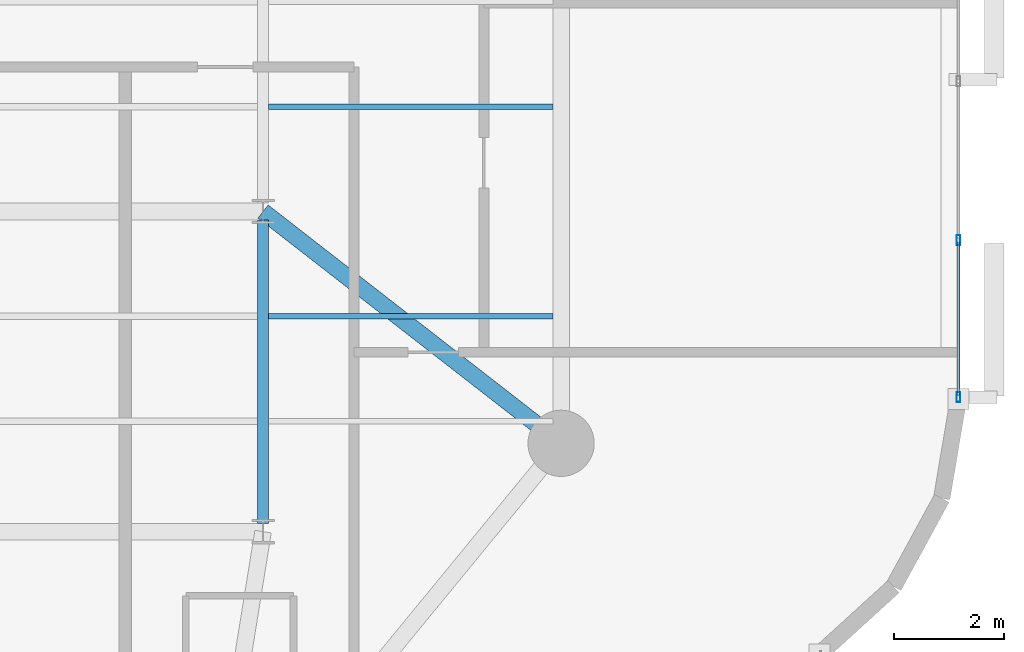
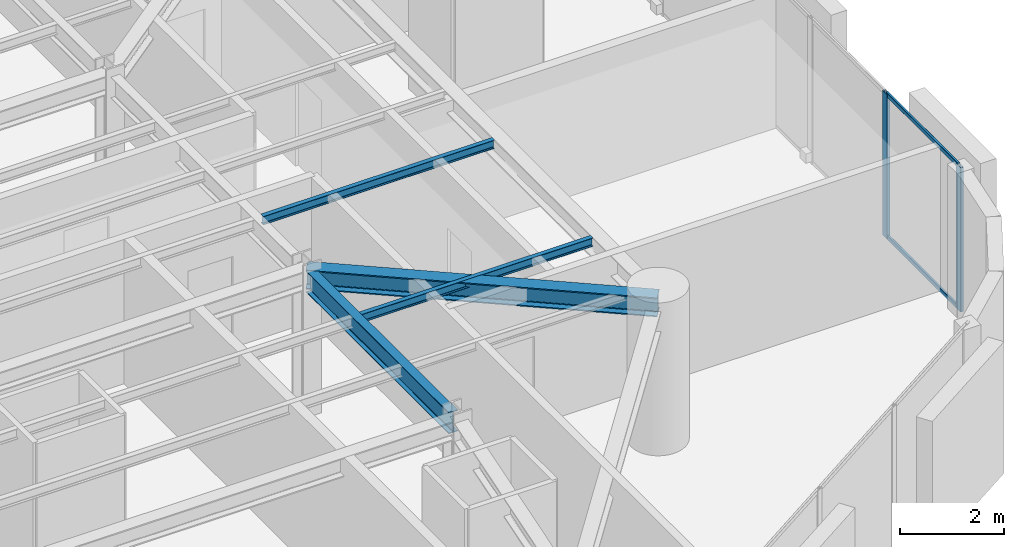
# One storey, part 3 of 15: 4 beams, 4 members, 1 element without a shape of its own.
"""IFC4 building model written with IfcOpenShell, lengths in metres."""

from ifc_helpers import new_model, si_unit, direction, frame, origin, origin_2d, place, context, subcontext, project, spatial, hollow_rectangle, i_section, extrude, material, layer, layer_set, material_profile, profile_set, type_object, element, aggregate, save


model = new_model("IFC4")

# Units and contexts
model_context = context("Model", 3, precision=1e-05, world=origin(), true_north=direction((0.0, 1.0)))
body_context = subcontext(model_context, "Body", "Model", "MODEL_VIEW")
ifc_project = project(units=[si_unit("LENGTHUNIT", "METRE"), si_unit("AREAUNIT", "SQUARE_METRE"), si_unit("VOLUMEUNIT", "CUBIC_METRE"), si_unit("PLANEANGLEUNIT", "RADIAN"), si_unit("MASSUNIT", "GRAM", prefix="KILO")], contexts=[model_context])

# Site, building, storey
site_placement = place(None, origin())
site = spatial("IfcSite", under=ifc_project, at=site_placement, CompositionType="ELEMENT")
building_placement = place(site_placement, origin())
building = spatial("IfcBuilding", under=site, at=building_placement, Name="An Khanh Terracotta Commons", CompositionType="ELEMENT")
storey_placement = place(building_placement, frame((0.0, 0.0, 143.800048828125)))
storey = spatial("IfcBuildingStorey", under=building, at=storey_placement, Name="L37", CompositionType="ELEMENT", Elevation=143.800048828125)

# Beams
ifc_material_1 = material(Name="Steel S355J2", Category="steel")
ifc_material_profile_1 = material_profile(ifc_material_1, i_section(OverallWidth=0.300048828125, OverallDepth=0.449951171875, WebThickness=0.013916015625, FlangeThickness=0.02587890625, FilletRadius=0.027099609375, at=origin_2d()), Name="HEB450")
ifc_profile_set_1 = profile_set([ifc_material_profile_1], Name="Steel S355J2")
beam_type_1 = type_object("IfcBeamType", Name="BM-HEB450", PredefinedType="BEAM", material=ifc_profile_set_1)
beam_1_placement = place(storey_placement, frame((55.800048828125, 16.0, 3.175048828125), z_axis=(-0.789363746927, 0.61392578952, 0.0), x_axis=(-0.61392578952, -0.789363746927, 0.0)))
element("IfcBeam", 1, at=beam_1_placement, inside=storey, type_object=beam_type_1, Name="L37 Mega-Column Tie Girder 3", PredefinedType="BEAM", context=body_context, shape_type="SweptSolid", body=[
    extrude(i_section(OverallWidth=0.300048828125, OverallDepth=0.449951171875, WebThickness=0.013916015625, FlangeThickness=0.02587890625, FilletRadius=0.027099609375, at=origin_2d()), origin(), (0.0, 0.0, 1.0), 6.841064453125),
])
ifc_material_profile_2 = material_profile(ifc_material_1, i_section(OverallWidth=0.10009765625, OverallDepth=0.199951171875, WebThickness=0.005615234375, FlangeThickness=0.008544921875, FilletRadius=0.011962890625, at=origin_2d()), Name="IPE200")
ifc_profile_set_2 = profile_set([ifc_material_profile_2], Name="Steel S355J2")
beam_type_2 = type_object("IfcBeamType", Name="BM-IPE200", PredefinedType="JOIST", material=ifc_profile_set_2)
for number, where, z_axis, x_axis, name in (
    (2, (50.5, 18.300048828125, 3.300048828125), (1.0, 0.0, 0.0), (0.0, 1.0, 0.0), "L37 Riverfront Composite Joist 2"),
    (3, (50.5, 22.10009765625, 3.300048828125), (1.0, 0.0, 0.0), (0.0, 1.0, 0.0), "L37 Riverfront Composite Joist 3"),
):
    element("IfcBeam", number, at=place(storey_placement, frame(where, z_axis=z_axis, x_axis=x_axis)), inside=storey, type_object=beam_type_2, Name=name, PredefinedType="JOIST", context=body_context, shape_type="SweptSolid", body=[
        extrude(i_section(OverallWidth=0.10009765625, OverallDepth=0.199951171875, WebThickness=0.005615234375, FlangeThickness=0.008544921875, FilletRadius=0.011962890625, at=origin_2d()), origin(), (0.0, 0.0, 1.0), 5.14990234375),
    ])
ifc_material_profile_3 = material_profile(ifc_material_1, i_section(OverallWidth=0.199951171875, OverallDepth=0.5, WebThickness=0.01025390625, FlangeThickness=0.01611328125, FilletRadius=0.02099609375, at=origin_2d()), Name="IPE500")
ifc_profile_set_3 = profile_set([ifc_material_profile_3], Name="Steel S355J2")
beam_type_3 = type_object("IfcBeamType", Name="BM-IPE500", PredefinedType="BEAM", material=ifc_profile_set_3)
beam_2_placement = place(storey_placement, frame((50.39990234375, 14.550048828125, 3.14990234375), z_axis=(0.0, 1.0, 0.0), x_axis=(-1.0, 0.0, 0.0)))
element("IfcBeam", 4, at=beam_2_placement, inside=storey, type_object=beam_type_3, Name="L37 East Spine Girder 1", PredefinedType="BEAM", context=body_context, shape_type="SweptSolid", body=[
    extrude(i_section(OverallWidth=0.199951171875, OverallDepth=0.5, WebThickness=0.01025390625, FlangeThickness=0.01611328125, FilletRadius=0.02099609375, at=origin_2d()), origin(), (0.0, 0.0, 1.0), 5.5),
])

# Curtain wall, members
ifc_material_2 = material(Name="Anodised Aluminium 6063-T6", Category="aluminium")
ifc_layer = layer(ifc_material_2, 0.2099609375, Name="Anodised Aluminium 6063-T6")
ifc_layer_set = layer_set([ifc_layer], Name="Anodised Aluminium 6063-T6")
curtain_wall_type = type_object("IfcCurtainWallType", Name="CW-SYS-03", PredefinedType="USERDEFINED", material=ifc_layer_set)
curtain_wall_placement = place(storey_placement, origin())
curtain_wall = element("IfcCurtainWall", 5, at=curtain_wall_placement, inside=storey, type_object=curtain_wall_type, Name="L37 CW-03 Unitised Curtain Wall CW-L37-12", ObjectType="UNITISED CURTAIN WALL", PredefinedType="USERDEFINED")
ifc_material_profile_4 = material_profile(ifc_material_2, hollow_rectangle(XDim=0.070068359375, YDim=0.179931640625, WallThickness=0.00390625, InnerFilletRadius=0.00390625, OuterFilletRadius=0.008056640625, at=origin_2d()), Name="RHS180x70x4")
ifc_profile_set_4 = profile_set([ifc_material_profile_4], Name="Anodised Aluminium 6063-T6")
member_type_1 = type_object("IfcMemberType", Name="CWM-RHS180x70x4", PredefinedType="MULLION", material=ifc_profile_set_4)
member_1_placement = place(storey_placement, frame((63.0, 16.8349609375, 0.0), z_axis=(0.0, 0.0, 1.0), x_axis=(-1.0, 0.0, 0.0)))
member_1 = element("IfcMember", 6, at=member_1_placement, type_object=member_type_1, Name="CW-03 mullion 1", PredefinedType="MULLION", context=body_context, shape_type="SweptSolid", body=[
    extrude(hollow_rectangle(XDim=0.070068359375, YDim=0.179931640625, WallThickness=0.00390625, InnerFilletRadius=0.00390625, OuterFilletRadius=0.008056640625, at=origin_2d()), origin(), (0.0, 0.0, 1.0), 3.39990234375),
])
member_2_placement = place(storey_placement, frame((63.0, 19.679931640625, 0.0), z_axis=(0.0, 0.0, 1.0), x_axis=(-1.0, 0.0, 0.0)))
member_2 = element("IfcMember", 7, at=member_2_placement, type_object=member_type_1, Name="CW-03 mullion 2", PredefinedType="MULLION", context=body_context, shape_type="SweptSolid", body=[
    extrude(hollow_rectangle(XDim=0.070068359375, YDim=0.179931640625, WallThickness=0.00390625, InnerFilletRadius=0.00390625, OuterFilletRadius=0.008056640625, at=origin_2d()), origin(), (0.0, 0.0, 1.0), 3.39990234375),
])
ifc_material_profile_5 = material_profile(ifc_material_2, hollow_rectangle(XDim=0.050048828125, YDim=0.10009765625, WallThickness=0.003173828125, InnerFilletRadius=0.003173828125, OuterFilletRadius=0.00634765625, at=origin_2d()), Name="RHS100x50x3.2")
ifc_profile_set_5 = profile_set([ifc_material_profile_5], Name="Anodised Aluminium 6063-T6")
member_type_2 = type_object("IfcMemberType", Name="CWT-RHS100x50x3.2", PredefinedType="USERDEFINED", material=ifc_profile_set_5)
member_3_placement = place(storey_placement, frame((63.0, 16.8701171875, 0.02490234375), z_axis=(0.0, 1.0, 0.0), x_axis=(-1.0, 0.0, 0.0)))
member_3 = element("IfcMember", 8, at=member_3_placement, type_object=member_type_2, Name="CW-03 transom 1.1", ObjectType="TRANSOM", PredefinedType="USERDEFINED", context=body_context, shape_type="SweptSolid", body=[
    extrude(hollow_rectangle(XDim=0.050048828125, YDim=0.10009765625, WallThickness=0.003173828125, InnerFilletRadius=0.003173828125, OuterFilletRadius=0.00634765625, at=origin_2d()), origin(), (0.0, 0.0, 1.0), 2.77490234375),
])
member_4_placement = place(storey_placement, frame((63.0, 16.8701171875, 3.375), z_axis=(0.0, 1.0, 0.0), x_axis=(-1.0, 0.0, 0.0)))
member_4 = element("IfcMember", 9, at=member_4_placement, type_object=member_type_2, Name="CW-03 transom 1.2", ObjectType="TRANSOM", PredefinedType="USERDEFINED", context=body_context, shape_type="SweptSolid", body=[
    extrude(hollow_rectangle(XDim=0.050048828125, YDim=0.10009765625, WallThickness=0.003173828125, InnerFilletRadius=0.003173828125, OuterFilletRadius=0.00634765625, at=origin_2d()), origin(), (0.0, 0.0, 1.0), 2.77490234375),
])
aggregate(curtain_wall, [member_1, member_2, member_3, member_4])

save(model, "model.ifc")
